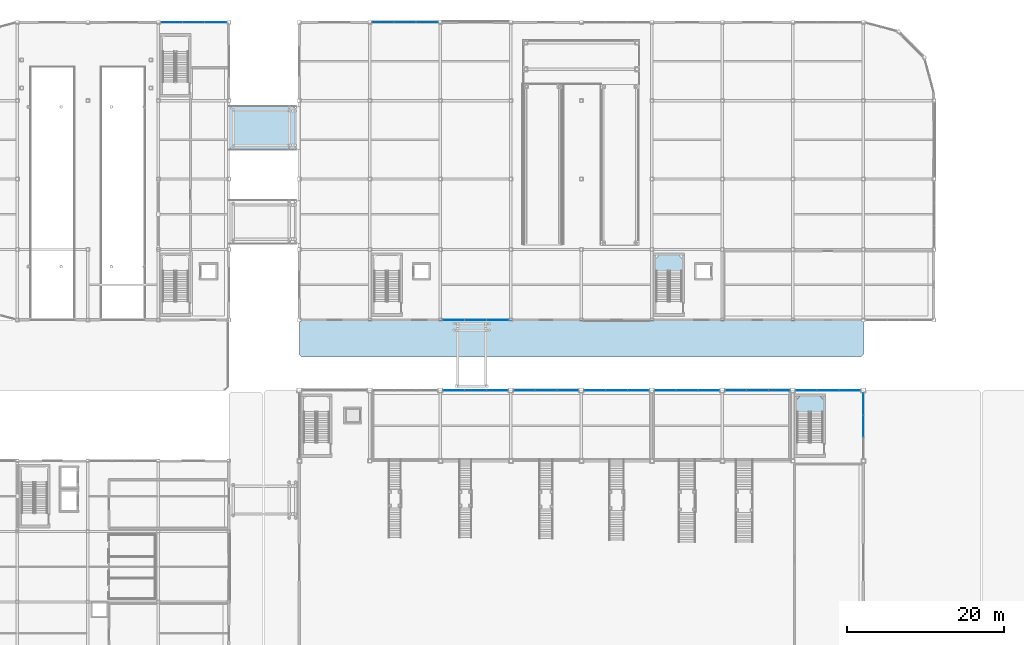
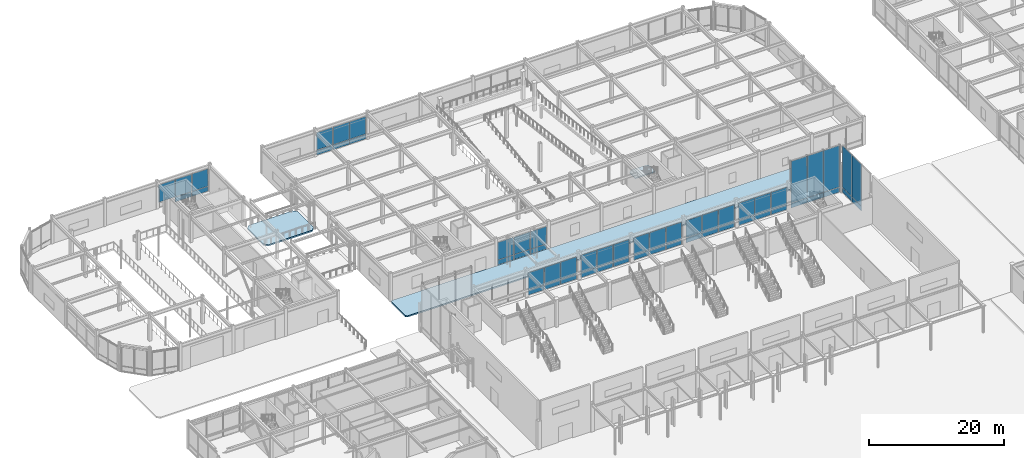
# One storey, part 67 of 123: 57 plates, 4 slabs, 12 elements without a shape of their own.
"""IFC4 building model written with IfcOpenShell, lengths in metres."""

import ifcopenshell
import ifcopenshell.guid

model = None  # the IFC model being written
_history = None  # IfcOwnerHistory: only IFC2X3 demands one
_inside = {}  # id of a spatial element -> (the spatial element, [elements in it])
_under = {}  # id of a project, library or spatial element -> (it, [spatial elements below it])
_declared = {}  # id of a project -> (the project, [libraries it declares])
_typed = {}  # id of a type object -> (the type object, [elements of that type])
_made_of = {}  # id of a material, layer set ... -> (it, [elements and type objects made of it])


def new_model(schema):
    """Start an empty IFC model of exactly this schema.

    Asked for "IFC4X3", IfcOpenShell would pick the latest addendum, in which some entities
    have other attributes; the version numbers below select the first issue.
    IFC2X3 requires an IfcOwnerHistory on every rooted entity: one is made here for all.
    """
    global model, _history
    if schema == "IFC4X3":
        model = ifcopenshell.file(schema_version=(4, 3, 0, 0))
    else:
        model = ifcopenshell.file(schema=schema)
    _inside.clear()
    _under.clear()
    _declared.clear()
    _typed.clear()
    _made_of.clear()
    _history = None
    if model.schema == "IFC2X3":
        org = make("IfcOrganization", Name="unknown")
        user = make(
            "IfcPersonAndOrganization",
            ThePerson=make("IfcPerson", FamilyName="unknown"),
            TheOrganization=org,
        )
        app = make(
            "IfcApplication",
            ApplicationDeveloper=org,
            Version="unknown",
            ApplicationFullName="unknown",
            ApplicationIdentifier="unknown",
        )
        _history = make(
            "IfcOwnerHistory",
            OwningUser=user,
            OwningApplication=app,
            ChangeAction="ADDED",
            CreationDate=0,
        )
    return model


def make(cls, **values):
    """One entity of the class cls with the attributes given. An attribute that is None is left unset."""
    return model.create_entity(
        cls, **{name: value for name, value in values.items() if value is not None}
    )


def rooted(cls, **values):
    """An entity with a GlobalId (a new one), such as an element, a storey or a relation."""
    return make(cls, GlobalId=ifcopenshell.guid.new(), OwnerHistory=_history, **values)


def si_unit(unit_type, name, prefix=None):
    """IfcSIUnit, for example si_unit("LENGTHUNIT", "METRE", prefix="MILLI")."""
    return make("IfcSIUnit", UnitType=unit_type, Prefix=prefix, Name=name)


def assignment(units):
    """IfcUnitAssignment: the units of a project."""
    return None if units is None else make("IfcUnitAssignment", Units=units)


def point(xyz):
    """IfcCartesianPoint."""
    return None if xyz is None else make("IfcCartesianPoint", Coordinates=xyz)


def direction(xyz):
    """IfcDirection."""
    return None if xyz is None else make("IfcDirection", DirectionRatios=xyz)


def frame(location, z_axis=None, x_axis=None):
    """IfcAxis2Placement3D, a coordinate frame: its origin and axes. An axis left out is left unset."""
    return make(
        "IfcAxis2Placement3D",
        Location=point(location),
        Axis=direction(z_axis),
        RefDirection=direction(x_axis),
    )


def frame_2d(location, x_axis=None):
    """IfcAxis2Placement2D, a coordinate frame in the plane: its origin and x axis."""
    return make(
        "IfcAxis2Placement2D", Location=point(location), RefDirection=direction(x_axis)
    )


def origin():
    """The frame at (0, 0, 0) with its axes left unset."""
    return frame((0.0, 0.0, 0.0))


def origin_2d():
    """The frame at (0, 0) in the plane with its x axis left unset."""
    return frame_2d((0.0, 0.0))


def place(relative_to, where):
    """IfcLocalPlacement: puts the frame where relative to a parent placement (None: the world)."""
    return make(
        "IfcLocalPlacement", PlacementRelTo=relative_to, RelativePlacement=where
    )


def context(
    kind, dimensions, precision=None, world=None, true_north=None, identifier=None
):
    """IfcGeometricRepresentationContext, for example the 3D "Model" context."""
    return make(
        "IfcGeometricRepresentationContext",
        ContextIdentifier=identifier,
        ContextType=kind,
        CoordinateSpaceDimension=dimensions,
        Precision=precision,
        WorldCoordinateSystem=world,
        TrueNorth=true_north,
    )


def subcontext(parent, identifier, kind, view, scale=None):
    """IfcGeometricRepresentationSubContext, for example "Body" below "Model"."""
    return make(
        "IfcGeometricRepresentationSubContext",
        ContextIdentifier=identifier,
        ContextType=kind,
        ParentContext=parent,
        TargetScale=scale,
        TargetView=view,
    )


def project(units=None, contexts=None):
    """IfcProject with its units and contexts."""
    return rooted(
        "IfcProject",
        Name="project",
        RepresentationContexts=contexts,
        UnitsInContext=assignment(units),
    )


def spatial(cls, under=None, at=None, **own):
    """A site, building, storey or space (cls), placed at a placement, below another one or the project."""
    s = rooted(cls, ObjectPlacement=at, **own)
    if under is not None:
        _under.setdefault(under.id(), (under, []))[1].append(s)
    return s


def polyline(points):
    """IfcPolyline through the points."""
    return make("IfcPolyline", Points=[point(p) for p in points])


def profile(cls, at=None, kind="AREA", **sizes):
    """A parametric profile (cls). Its sizes go by their IFC names, for example OverallWidth=200.0."""
    return make(cls, ProfileType=kind, Position=at, **sizes)


def rectangle(**sizes):
    """IfcRectangleProfileDef."""
    return profile("IfcRectangleProfileDef", **sizes)


def outline(outer, holes=None, kind="AREA"):
    """IfcArbitraryClosedProfileDef: a profile drawn as a closed curve; with holes, ...WithVoids."""
    if holes is None:
        return make("IfcArbitraryClosedProfileDef", ProfileType=kind, OuterCurve=outer)
    return make(
        "IfcArbitraryProfileDefWithVoids",
        ProfileType=kind,
        OuterCurve=outer,
        InnerCurves=holes,
    )


def extrude(swept, where, along, depth):
    """IfcExtrudedAreaSolid: the profile swept, set in the frame where, extruded along a direction by depth."""
    return make(
        "IfcExtrudedAreaSolid",
        SweptArea=swept,
        Position=where,
        ExtrudedDirection=direction(along),
        Depth=depth,
    )


def shape(context_of_items, identifier, shape_type, items):
    """IfcShapeRepresentation: the items that make up one representation, for example the "Body"."""
    return make(
        "IfcShapeRepresentation",
        ContextOfItems=context_of_items,
        RepresentationIdentifier=identifier,
        RepresentationType=shape_type,
        Items=items,
    )


def material(Name=None, Category=None):
    """IfcMaterial."""
    return make("IfcMaterial", Name=Name, Category=Category)


def layer(
    of_material, thickness, ventilated=None, Name=None, Category=None, Priority=None
):
    """IfcMaterialLayer: one layer of a wall or slab, of a material (None: an air gap)."""
    return make(
        "IfcMaterialLayer",
        Material=of_material,
        LayerThickness=thickness,
        IsVentilated=ventilated,
        Name=Name,
        Category=Category,
        Priority=Priority,
    )


def layer_set(layers, Name=None):
    """IfcMaterialLayerSet."""
    return make("IfcMaterialLayerSet", MaterialLayers=layers, LayerSetName=Name)


def made_of(thing, what):
    """Note that an element or type object is made of a material, layer set ...; save() writes the relation."""
    if what is not None:
        _made_of.setdefault(what.id(), (what, []))[1].append(thing)
    return thing


def type_object(cls, material=None, **own):
    """A type object (cls), such as IfcWallType, which elements share."""
    return made_of(rooted(cls, **own), material)


def element(
    cls,
    number,
    at=None,
    inside=None,
    cuts=None,
    type_object=None,
    material=None,
    context=None,
    identifier="Body",
    shape_type=None,
    held_by="IfcProductDefinitionShape",
    body=None,
    shapes=None,
    **own,
):
    """One element of the class cls, such as IfcWall. Its Tag is "e" and its number.

    at: its placement. inside: the storey or other place that contains it. cuts: it is an
    opening in that element (IfcRelVoidsElement). A single representation is given by context,
    identifier, shape_type and body (its items); several are given by shapes. held_by: the class
    of the entity that holds the representations. save() writes the other relations.
    """
    e = rooted(cls, Tag="e%d" % number, ObjectPlacement=at, **own)
    if body is not None:
        shapes = [shape(context, identifier, shape_type, body)]
    if shapes is not None:
        e.Representation = make(held_by, Representations=shapes)
    if inside is not None:
        _inside.setdefault(inside.id(), (inside, []))[1].append(e)
    if cuts is not None:
        rooted(
            "IfcRelVoidsElement", RelatingBuildingElement=cuts, RelatedOpeningElement=e
        )
    if type_object is not None:
        _typed.setdefault(type_object.id(), (type_object, []))[1].append(e)
    return made_of(e, material)


def aggregate(whole, parts):
    """IfcRelAggregates: a whole, such as a stair, and the parts it consists of."""
    return rooted("IfcRelAggregates", RelatingObject=whole, RelatedObjects=parts)


def save(model, path):
    """Write the relations noted so far, then the file.

    IfcRelAggregates (storeys below a building ...), IfcRelContainedInSpatialStructure (elements
    in a storey), IfcRelDefinesByType, IfcRelAssociatesMaterial and IfcRelDeclares: one each for
    every whole, place, type object, material and project.
    """
    for whole, parts in _under.values():
        aggregate(whole, parts)
    for where, things in _inside.values():
        rooted(
            "IfcRelContainedInSpatialStructure",
            RelatedElements=things,
            RelatingStructure=where,
        )
    for kind, things in _typed.values():
        rooted("IfcRelDefinesByType", RelatedObjects=things, RelatingType=kind)
    for what, things in _made_of.values():
        rooted("IfcRelAssociatesMaterial", RelatedObjects=things, RelatingMaterial=what)
    for by, libraries in _declared.values():
        rooted("IfcRelDeclares", RelatingContext=by, RelatedDefinitions=libraries)
    model.write(path)


model = new_model("IFC4")

# Units and contexts
model_context = context("Model", 3, precision=1e-05, world=origin(), true_north=direction((0.0, 1.0)))
body_context = subcontext(model_context, "Body", "Model", "MODEL_VIEW")
ifc_project = project(units=[si_unit("LENGTHUNIT", "METRE"), si_unit("AREAUNIT", "SQUARE_METRE"), si_unit("VOLUMEUNIT", "CUBIC_METRE"), si_unit("PLANEANGLEUNIT", "RADIAN"), si_unit("MASSUNIT", "GRAM", prefix="KILO")], contexts=[model_context])

# Site, building, storey
site_placement = place(None, origin())
site = spatial("IfcSite", under=ifc_project, at=site_placement, CompositionType="ELEMENT")
building_placement = place(site_placement, origin())
building = spatial("IfcBuilding", under=site, at=building_placement, Name="Suzunagisa Mobility Hub", CompositionType="ELEMENT")
storey_placement = place(building_placement, origin())
storey = spatial("IfcBuildingStorey", under=building, at=storey_placement, Name="L00", CompositionType="ELEMENT", Elevation=0.0)

# Slabs
ifc_material_1 = material(Name="Concrete C35/45", Category="concrete")
ifc_layer_1 = layer(ifc_material_1, 0.2451171875)
ifc_layer_set_1 = layer_set([ifc_layer_1], Name="Concrete C35/45")
slab_type_1 = type_object("IfcSlabType", Name="Composite Slab SL-07 245mm", PredefinedType="FLOOR", material=ifc_layer_set_1)
slab_1_placement = place(storey_placement, frame((0.0, 0.0, -0.2451171875)))
element("IfcSlab", 1, at=slab_1_placement, inside=storey, type_object=slab_type_1, Name="L00 V4 South Exit Walkway Apron", PredefinedType="FLOOR", context=body_context, shape_type="SweptSolid", body=[
    extrude(outline(polyline([(45.25, 75.35009765625), (116.75, 75.35009765625), (117.0, 75.60009765625), (117.0, 79.75), (116.75, 80.0), (45.25, 80.0), (45.0, 79.75), (45.0, 75.60009765625), (45.25, 75.35009765625)])), origin(), (0.0, 0.0, 1.0), 0.2451171875),
])
ifc_layer_2 = layer(ifc_material_1, 0.260009765625)
ifc_layer_set_2 = layer_set([ifc_layer_2], Name="Concrete C35/45")
slab_type_2 = type_object("IfcSlabType", Name="Composite Slab SL-12 260mm", PredefinedType="FLOOR", material=ifc_layer_set_2)
slab_2_placement = place(storey_placement, frame((0.0, 0.0, -0.260009765625)))
element("IfcSlab", 2, at=slab_2_placement, inside=storey, type_object=slab_type_2, Name="L00 Bridge Deck VRL-L00-N", PredefinedType="FLOOR", context=body_context, shape_type="SweptSolid", body=[
    extrude(outline(polyline([(36.550048828125, 101.60009765625), (44.10009765625, 101.60009765625), (44.64990234375, 102.14990234375), (44.64990234375, 106.85009765625), (44.10009765625, 107.39990234375), (36.550048828125, 107.39990234375), (36.0, 106.85009765625), (36.0, 102.14990234375), (36.550048828125, 101.60009765625)])), origin(), (0.0, 0.0, 1.0), 0.260009765625),
])

# Stair, slab
stair_type_1 = type_object("IfcStairType", Name="Dog-Leg Core Escape Stair ST-04 W1560", PredefinedType="HALF_TURN_STAIR", material=ifc_material_1)
stair_1_placement = place(storey_placement, origin())
stair_1 = element("IfcStair", 3, at=stair_1_placement, inside=storey, type_object=stair_type_1, Name="L00 Core C2B Escape Stair ST-04", PredefinedType="HALF_TURN_STAIR")
ifc_layer_3 = layer(ifc_material_1, 0.199951171875)
ifc_layer_set_3 = layer_set([ifc_layer_3], Name="Concrete C35/45")
slab_type_3 = type_object("IfcSlabType", Name="Core Stair Half-Landing Slab SL-SLND", PredefinedType="LANDING", material=ifc_layer_set_3)
slab_3_placement = place(storey_placement, frame((0.0, 0.0, 2.35009765625)))
slab_3 = element("IfcSlab", 4, at=slab_3_placement, type_object=slab_type_3, Name="ST-04 landing 1", PredefinedType="LANDING", context=body_context, shape_type="SweptSolid", body=[
    extrude(outline(polyline([(108.4599609375, 68.199951171875), (111.93994140625, 68.199951171875), (111.93994140625, 69.820068359375), (111.4599609375, 70.300048828125), (108.93994140625, 70.300048828125), (108.4599609375, 69.820068359375), (108.4599609375, 68.199951171875)])), origin(), (0.0, 0.0, 1.0), 0.199951171875),
])
aggregate(stair_1, [slab_3])

stair_type_2 = type_object("IfcStairType", Name="Dog-Leg Core Escape Stair ST-08 W1560", PredefinedType="HALF_TURN_STAIR", material=ifc_material_1)
stair_2_placement = place(storey_placement, origin())
stair_2 = element("IfcStair", 5, at=stair_2_placement, inside=storey, type_object=stair_type_2, Name="L00 Core C4 Escape Stair ST-08", PredefinedType="HALF_TURN_STAIR")
slab_4_placement = place(storey_placement, frame((0.0, 0.0, 2.35009765625)))
slab_4 = element("IfcSlab", 6, at=slab_4_placement, type_object=slab_type_3, Name="ST-08 landing 1", PredefinedType="LANDING", context=body_context, shape_type="SweptSolid", body=[
    extrude(outline(polyline([(90.4599609375, 86.199951171875), (93.93994140625, 86.199951171875), (93.93994140625, 87.820068359375), (93.4599609375, 88.300048828125), (90.93994140625, 88.300048828125), (90.4599609375, 87.820068359375), (90.4599609375, 86.199951171875)])), origin(), (0.0, 0.0, 1.0), 0.199951171875),
])
aggregate(stair_2, [slab_4])

# Curtain wall, plates
ifc_material_2 = material(Name="Thermally Broken Anodized Aluminum and Low-E Glazing", Category="aluminium")
curtain_wall_type_1 = type_object("IfcCurtainWallType", Name="Unitised Curtain Wall CW-32 8500x4200", PredefinedType="USERDEFINED", material=ifc_material_2)
curtain_wall_1_placement = place(storey_placement, origin())
curtain_wall_1 = element("IfcCurtainWall", 7, at=curtain_wall_1_placement, inside=storey, type_object=curtain_wall_type_1, Name="L00 Unitised Curtain Wall CW-47", ObjectType="UNITISED CURTAIN WALL", PredefinedType="USERDEFINED")
ifc_material_3 = material(Name="Low-E Solar-Control Double Glazing", Category="glass")
ifc_layer_4 = layer(ifc_material_3, 0.028076171875)
ifc_layer_set_4 = layer_set([ifc_layer_4], Name="Low-E Solar-Control Double Glazing")
plate_type_1 = type_object("IfcPlateType", Name="Low-E Double Glazed Curtain Panel GP-01 28mm", PredefinedType="CURTAIN_PANEL", material=ifc_layer_set_4)
plate_1_placement = place(storey_placement, frame((34.333740234375, 118.0, 0.06298828125), z_axis=(0.0, 0.0, 1.0), x_axis=(-1.0, 0.0, 0.0)))
plate_1 = element("IfcPlate", 8, at=plate_1_placement, type_object=plate_type_1, Name="Curtain Wall Glazing Panel 47-P1.1", PredefinedType="CURTAIN_PANEL", context=body_context, shape_type="SweptSolid", body=[
    extrude(rectangle(XDim=2.756591796875, YDim=0.028076171875, at=origin_2d()), origin(), (0.0, 0.0, 1.0), 0.8564453125),
])
plate_2_placement = place(storey_placement, frame((34.333740234375, 118.0, 0.98046875), z_axis=(0.0, 0.0, 1.0), x_axis=(-1.0, 0.0, 0.0)))
plate_2 = element("IfcPlate", 9, at=plate_2_placement, type_object=plate_type_1, Name="Curtain Wall Glazing Panel 47-P1.2", PredefinedType="CURTAIN_PANEL", context=body_context, shape_type="SweptSolid", body=[
    extrude(rectangle(XDim=2.756591796875, YDim=0.028076171875, at=origin_2d()), origin(), (0.0, 0.0, 1.0), 3.146484375),
])
plate_3_placement = place(storey_placement, frame((31.5, 118.0, 0.06298828125), z_axis=(0.0, 0.0, 1.0), x_axis=(-1.0, 0.0, 0.0)))
plate_3 = element("IfcPlate", 10, at=plate_3_placement, type_object=plate_type_1, Name="Curtain Wall Glazing Panel 47-P2.1", PredefinedType="CURTAIN_PANEL", context=body_context, shape_type="SweptSolid", body=[
    extrude(rectangle(XDim=2.7890625, YDim=0.028076171875, at=origin_2d()), origin(), (0.0, 0.0, 1.0), 0.8564453125),
])
plate_4_placement = place(storey_placement, frame((31.5, 118.0, 0.98046875), z_axis=(0.0, 0.0, 1.0), x_axis=(-1.0, 0.0, 0.0)))
plate_4 = element("IfcPlate", 11, at=plate_4_placement, type_object=plate_type_1, Name="Curtain Wall Glazing Panel 47-P2.2", PredefinedType="CURTAIN_PANEL", context=body_context, shape_type="SweptSolid", body=[
    extrude(rectangle(XDim=2.7890625, YDim=0.028076171875, at=origin_2d()), origin(), (0.0, 0.0, 1.0), 3.146484375),
])
plate_5_placement = place(storey_placement, frame((28.666259765625, 118.0, 0.98046875), z_axis=(0.0, 0.0, 1.0), x_axis=(-1.0, 0.0, 0.0)))
plate_5 = element("IfcPlate", 12, at=plate_5_placement, type_object=plate_type_1, Name="Curtain Wall Glazing Panel 47-P3.2", PredefinedType="CURTAIN_PANEL", context=body_context, shape_type="SweptSolid", body=[
    extrude(rectangle(XDim=2.756591796875, YDim=0.028076171875, at=origin_2d()), origin(), (0.0, 0.0, 1.0), 3.146484375),
])
aggregate(curtain_wall_1, [plate_1, plate_2, plate_3, plate_4, plate_5])

curtain_wall_2_placement = place(storey_placement, origin())
curtain_wall_2 = element("IfcCurtainWall", 13, at=curtain_wall_2_placement, inside=storey, type_object=curtain_wall_type_1, Name="L00 Unitised Curtain Wall CW-91", ObjectType="UNITISED CURTAIN WALL", PredefinedType="USERDEFINED")
plate_6_placement = place(storey_placement, frame((64.666259765625, 80.0, 0.06298828125), z_axis=(0.0, 0.0, 1.0), x_axis=(1.0, 0.0, 0.0)))
plate_6 = element("IfcPlate", 14, at=plate_6_placement, type_object=plate_type_1, Name="Curtain Wall Glazing Panel 91-P1.1", PredefinedType="CURTAIN_PANEL", context=body_context, shape_type="SweptSolid", body=[
    extrude(rectangle(XDim=2.756591796875, YDim=0.028076171875, at=origin_2d()), origin(), (0.0, 0.0, 1.0), 0.8564453125),
])
plate_7_placement = place(storey_placement, frame((64.666259765625, 80.0, 0.98046875), z_axis=(0.0, 0.0, 1.0), x_axis=(1.0, 0.0, 0.0)))
plate_7 = element("IfcPlate", 15, at=plate_7_placement, type_object=plate_type_1, Name="Curtain Wall Glazing Panel 91-P1.2", PredefinedType="CURTAIN_PANEL", context=body_context, shape_type="SweptSolid", body=[
    extrude(rectangle(XDim=2.756591796875, YDim=0.028076171875, at=origin_2d()), origin(), (0.0, 0.0, 1.0), 3.146484375),
])
plate_8_placement = place(storey_placement, frame((67.5, 80.0, 0.06298828125), z_axis=(0.0, 0.0, 1.0), x_axis=(1.0, 0.0, 0.0)))
plate_8 = element("IfcPlate", 16, at=plate_8_placement, type_object=plate_type_1, Name="Curtain Wall Glazing Panel 91-P2.1", PredefinedType="CURTAIN_PANEL", context=body_context, shape_type="SweptSolid", body=[
    extrude(rectangle(XDim=2.7890625, YDim=0.028076171875, at=origin_2d()), origin(), (0.0, 0.0, 1.0), 0.8564453125),
])
plate_9_placement = place(storey_placement, frame((67.5, 80.0, 0.98046875), z_axis=(0.0, 0.0, 1.0), x_axis=(1.0, 0.0, 0.0)))
plate_9 = element("IfcPlate", 17, at=plate_9_placement, type_object=plate_type_1, Name="Curtain Wall Glazing Panel 91-P2.2", PredefinedType="CURTAIN_PANEL", context=body_context, shape_type="SweptSolid", body=[
    extrude(rectangle(XDim=2.7890625, YDim=0.028076171875, at=origin_2d()), origin(), (0.0, 0.0, 1.0), 3.146484375),
])
plate_10_placement = place(storey_placement, frame((70.333740234375, 80.0, 0.06298828125), z_axis=(0.0, 0.0, 1.0), x_axis=(1.0, 0.0, 0.0)))
plate_10 = element("IfcPlate", 18, at=plate_10_placement, type_object=plate_type_1, Name="Curtain Wall Glazing Panel 91-P3.1", PredefinedType="CURTAIN_PANEL", context=body_context, shape_type="SweptSolid", body=[
    extrude(rectangle(XDim=2.756591796875, YDim=0.028076171875, at=origin_2d()), origin(), (0.0, 0.0, 1.0), 0.8564453125),
])
plate_11_placement = place(storey_placement, frame((70.333740234375, 80.0, 0.98046875), z_axis=(0.0, 0.0, 1.0), x_axis=(1.0, 0.0, 0.0)))
plate_11 = element("IfcPlate", 19, at=plate_11_placement, type_object=plate_type_1, Name="Curtain Wall Glazing Panel 91-P3.2", PredefinedType="CURTAIN_PANEL", context=body_context, shape_type="SweptSolid", body=[
    extrude(rectangle(XDim=2.756591796875, YDim=0.028076171875, at=origin_2d()), origin(), (0.0, 0.0, 1.0), 3.146484375),
])
aggregate(curtain_wall_2, [plate_6, plate_7, plate_8, plate_9, plate_10, plate_11])

curtain_wall_3_placement = place(storey_placement, origin())
curtain_wall_3 = element("IfcCurtainWall", 20, at=curtain_wall_3_placement, inside=storey, type_object=curtain_wall_type_1, Name="L00 Unitised Curtain Wall CW-99", ObjectType="UNITISED CURTAIN WALL", PredefinedType="USERDEFINED")
plate_12_placement = place(storey_placement, frame((61.333740234375, 118.0, 0.06298828125), z_axis=(0.0, 0.0, 1.0), x_axis=(-1.0, 0.0, 0.0)))
plate_12 = element("IfcPlate", 21, at=plate_12_placement, type_object=plate_type_1, Name="Curtain Wall Glazing Panel 99-P1.1", PredefinedType="CURTAIN_PANEL", context=body_context, shape_type="SweptSolid", body=[
    extrude(rectangle(XDim=2.756591796875, YDim=0.028076171875, at=origin_2d()), origin(), (0.0, 0.0, 1.0), 0.8564453125),
])
plate_13_placement = place(storey_placement, frame((61.333740234375, 118.0, 0.98046875), z_axis=(0.0, 0.0, 1.0), x_axis=(-1.0, 0.0, 0.0)))
plate_13 = element("IfcPlate", 22, at=plate_13_placement, type_object=plate_type_1, Name="Curtain Wall Glazing Panel 99-P1.2", PredefinedType="CURTAIN_PANEL", context=body_context, shape_type="SweptSolid", body=[
    extrude(rectangle(XDim=2.756591796875, YDim=0.028076171875, at=origin_2d()), origin(), (0.0, 0.0, 1.0), 3.146484375),
])
plate_14_placement = place(storey_placement, frame((58.5, 118.0, 0.06298828125), z_axis=(0.0, 0.0, 1.0), x_axis=(-1.0, 0.0, 0.0)))
plate_14 = element("IfcPlate", 23, at=plate_14_placement, type_object=plate_type_1, Name="Curtain Wall Glazing Panel 99-P2.1", PredefinedType="CURTAIN_PANEL", context=body_context, shape_type="SweptSolid", body=[
    extrude(rectangle(XDim=2.7890625, YDim=0.028076171875, at=origin_2d()), origin(), (0.0, 0.0, 1.0), 0.8564453125),
])
plate_15_placement = place(storey_placement, frame((58.5, 118.0, 0.98046875), z_axis=(0.0, 0.0, 1.0), x_axis=(-1.0, 0.0, 0.0)))
plate_15 = element("IfcPlate", 24, at=plate_15_placement, type_object=plate_type_1, Name="Curtain Wall Glazing Panel 99-P2.2", PredefinedType="CURTAIN_PANEL", context=body_context, shape_type="SweptSolid", body=[
    extrude(rectangle(XDim=2.7890625, YDim=0.028076171875, at=origin_2d()), origin(), (0.0, 0.0, 1.0), 3.146484375),
])
plate_16_placement = place(storey_placement, frame((55.666259765625, 118.0, 0.06298828125), z_axis=(0.0, 0.0, 1.0), x_axis=(-1.0, 0.0, 0.0)))
plate_16 = element("IfcPlate", 25, at=plate_16_placement, type_object=plate_type_1, Name="Curtain Wall Glazing Panel 99-P3.1", PredefinedType="CURTAIN_PANEL", context=body_context, shape_type="SweptSolid", body=[
    extrude(rectangle(XDim=2.756591796875, YDim=0.028076171875, at=origin_2d()), origin(), (0.0, 0.0, 1.0), 0.8564453125),
])
plate_17_placement = place(storey_placement, frame((55.666259765625, 118.0, 0.98046875), z_axis=(0.0, 0.0, 1.0), x_axis=(-1.0, 0.0, 0.0)))
plate_17 = element("IfcPlate", 26, at=plate_17_placement, type_object=plate_type_1, Name="Curtain Wall Glazing Panel 99-P3.2", PredefinedType="CURTAIN_PANEL", context=body_context, shape_type="SweptSolid", body=[
    extrude(rectangle(XDim=2.756591796875, YDim=0.028076171875, at=origin_2d()), origin(), (0.0, 0.0, 1.0), 3.146484375),
])
aggregate(curtain_wall_3, [plate_12, plate_13, plate_14, plate_15, plate_16, plate_17])

curtain_wall_type_2 = type_object("IfcCurtainWallType", Name="Unitised Curtain Wall CW-34 8500x8600", PredefinedType="USERDEFINED", material=ifc_material_2)
curtain_wall_4_placement = place(storey_placement, origin())
curtain_wall_4 = element("IfcCurtainWall", 27, at=curtain_wall_4_placement, inside=storey, type_object=curtain_wall_type_2, Name="L00 Unitised Curtain Wall CW-34", ObjectType="UNITISED CURTAIN WALL", PredefinedType="USERDEFINED")
ifc_layer_5 = layer(ifc_material_3, 0.031982421875)
ifc_layer_set_5 = layer_set([ifc_layer_5], Name="Low-E Solar-Control Double Glazing")
plate_type_2 = type_object("IfcPlateType", Name="Low-E Double Glazed Curtain Panel GP-02 32mm", PredefinedType="CURTAIN_PANEL", material=ifc_layer_set_5)
plate_18_placement = place(storey_placement, frame((117.0, 66.47509765625, 0.06298828125), z_axis=(0.0, 0.0, 1.0), x_axis=(0.0, 1.0, 0.0)))
plate_18 = element("IfcPlate", 28, at=plate_18_placement, type_object=plate_type_2, Name="Curtain Wall Glazing Panel 34-P2.1", PredefinedType="CURTAIN_PANEL", context=body_context, shape_type="SweptSolid", body=[
    extrude(rectangle(XDim=2.755615234375, YDim=0.031982421875, at=origin_2d()), origin(), (0.0, 0.0, 1.0), 0.8564453125),
])
plate_19_placement = place(storey_placement, frame((117.0, 66.47509765625, 0.98046875), z_axis=(0.0, 0.0, 1.0), x_axis=(0.0, 1.0, 0.0)))
plate_19 = element("IfcPlate", 29, at=plate_19_placement, type_object=plate_type_2, Name="Curtain Wall Glazing Panel 34-P2.2", PredefinedType="CURTAIN_PANEL", context=body_context, shape_type="SweptSolid", body=[
    extrude(rectangle(XDim=2.755615234375, YDim=0.031982421875, at=origin_2d()), origin(), (0.0, 0.0, 1.0), 7.53662109375),
])
plate_20_placement = place(storey_placement, frame((117.0, 69.275390625, 0.06298828125), z_axis=(0.0, 0.0, 1.0), x_axis=(0.0, 1.0, 0.0)))
plate_20 = element("IfcPlate", 30, at=plate_20_placement, type_object=plate_type_2, Name="Curtain Wall Glazing Panel 34-P3.1", PredefinedType="CURTAIN_PANEL", context=body_context, shape_type="SweptSolid", body=[
    extrude(rectangle(XDim=2.72314453125, YDim=0.031982421875, at=origin_2d()), origin(), (0.0, 0.0, 1.0), 0.8564453125),
])
plate_21_placement = place(storey_placement, frame((117.0, 69.275390625, 0.98046875), z_axis=(0.0, 0.0, 1.0), x_axis=(0.0, 1.0, 0.0)))
plate_21 = element("IfcPlate", 31, at=plate_21_placement, type_object=plate_type_2, Name="Curtain Wall Glazing Panel 34-P3.2", PredefinedType="CURTAIN_PANEL", context=body_context, shape_type="SweptSolid", body=[
    extrude(rectangle(XDim=2.72314453125, YDim=0.031982421875, at=origin_2d()), origin(), (0.0, 0.0, 1.0), 7.53662109375),
])
aggregate(curtain_wall_4, [plate_18, plate_19, plate_20, plate_21])

curtain_wall_5_placement = place(storey_placement, origin())
curtain_wall_5 = element("IfcCurtainWall", 32, at=curtain_wall_5_placement, inside=storey, type_object=curtain_wall_type_2, Name="L00 Unitised Curtain Wall CW-35", ObjectType="UNITISED CURTAIN WALL", PredefinedType="USERDEFINED")
plate_22_placement = place(storey_placement, frame((115.28369140625, 71.0, 0.06298828125), z_axis=(0.0, 0.0, 1.0), x_axis=(-1.0, 0.0, 0.0)))
plate_22 = element("IfcPlate", 33, at=plate_22_placement, type_object=plate_type_2, Name="Curtain Wall Glazing Panel 35-P1.1", PredefinedType="CURTAIN_PANEL", context=body_context, shape_type="SweptSolid", body=[
    extrude(rectangle(XDim=2.70654296875, YDim=0.031982421875, at=origin_2d()), origin(), (0.0, 0.0, 1.0), 0.8564453125),
])
plate_23_placement = place(storey_placement, frame((115.28369140625, 71.0, 0.98046875), z_axis=(0.0, 0.0, 1.0), x_axis=(-1.0, 0.0, 0.0)))
plate_23 = element("IfcPlate", 34, at=plate_23_placement, type_object=plate_type_2, Name="Curtain Wall Glazing Panel 35-P1.2", PredefinedType="CURTAIN_PANEL", context=body_context, shape_type="SweptSolid", body=[
    extrude(rectangle(XDim=2.70654296875, YDim=0.031982421875, at=origin_2d()), origin(), (0.0, 0.0, 1.0), 7.53662109375),
])
plate_24_placement = place(storey_placement, frame((112.5, 71.0, 0.06298828125), z_axis=(0.0, 0.0, 1.0), x_axis=(-1.0, 0.0, 0.0)))
plate_24 = element("IfcPlate", 35, at=plate_24_placement, type_object=plate_type_2, Name="Curtain Wall Glazing Panel 35-P2.1", PredefinedType="CURTAIN_PANEL", context=body_context, shape_type="SweptSolid", body=[
    extrude(rectangle(XDim=2.739013671875, YDim=0.031982421875, at=origin_2d()), origin(), (0.0, 0.0, 1.0), 0.8564453125),
])
plate_25_placement = place(storey_placement, frame((112.5, 71.0, 0.98046875), z_axis=(0.0, 0.0, 1.0), x_axis=(-1.0, 0.0, 0.0)))
plate_25 = element("IfcPlate", 36, at=plate_25_placement, type_object=plate_type_2, Name="Curtain Wall Glazing Panel 35-P2.2", PredefinedType="CURTAIN_PANEL", context=body_context, shape_type="SweptSolid", body=[
    extrude(rectangle(XDim=2.739013671875, YDim=0.031982421875, at=origin_2d()), origin(), (0.0, 0.0, 1.0), 7.53662109375),
])
plate_26_placement = place(storey_placement, frame((109.71630859375, 71.0, 0.06298828125), z_axis=(0.0, 0.0, 1.0), x_axis=(-1.0, 0.0, 0.0)))
plate_26 = element("IfcPlate", 37, at=plate_26_placement, type_object=plate_type_2, Name="Curtain Wall Glazing Panel 35-P3.1", PredefinedType="CURTAIN_PANEL", context=body_context, shape_type="SweptSolid", body=[
    extrude(rectangle(XDim=2.70654296875, YDim=0.031982421875, at=origin_2d()), origin(), (0.0, 0.0, 1.0), 0.8564453125),
])
plate_27_placement = place(storey_placement, frame((109.71630859375, 71.0, 0.98046875), z_axis=(0.0, 0.0, 1.0), x_axis=(-1.0, 0.0, 0.0)))
plate_27 = element("IfcPlate", 38, at=plate_27_placement, type_object=plate_type_2, Name="Curtain Wall Glazing Panel 35-P3.2", PredefinedType="CURTAIN_PANEL", context=body_context, shape_type="SweptSolid", body=[
    extrude(rectangle(XDim=2.70654296875, YDim=0.031982421875, at=origin_2d()), origin(), (0.0, 0.0, 1.0), 7.53662109375),
])
aggregate(curtain_wall_5, [plate_22, plate_23, plate_24, plate_25, plate_26, plate_27])

curtain_wall_6_placement = place(storey_placement, origin())
curtain_wall_6 = element("IfcCurtainWall", 39, at=curtain_wall_6_placement, inside=storey, type_object=curtain_wall_type_1, Name="L00 Unitised Curtain Wall CW-36", ObjectType="UNITISED CURTAIN WALL", PredefinedType="USERDEFINED")
plate_28_placement = place(storey_placement, frame((106.28369140625, 71.0, 0.06298828125), z_axis=(0.0, 0.0, 1.0), x_axis=(-1.0, 0.0, 0.0)))
plate_28 = element("IfcPlate", 40, at=plate_28_placement, type_object=plate_type_2, Name="Curtain Wall Glazing Panel 36-P1.1", PredefinedType="CURTAIN_PANEL", context=body_context, shape_type="SweptSolid", body=[
    extrude(rectangle(XDim=2.70654296875, YDim=0.031982421875, at=origin_2d()), origin(), (0.0, 0.0, 1.0), 0.8564453125),
])
plate_29_placement = place(storey_placement, frame((106.28369140625, 71.0, 0.98046875), z_axis=(0.0, 0.0, 1.0), x_axis=(-1.0, 0.0, 0.0)))
plate_29 = element("IfcPlate", 41, at=plate_29_placement, type_object=plate_type_2, Name="Curtain Wall Glazing Panel 36-P1.2", PredefinedType="CURTAIN_PANEL", context=body_context, shape_type="SweptSolid", body=[
    extrude(rectangle(XDim=2.70654296875, YDim=0.031982421875, at=origin_2d()), origin(), (0.0, 0.0, 1.0), 3.1064453125),
])
plate_30_placement = place(storey_placement, frame((103.5, 71.0, 0.06298828125), z_axis=(0.0, 0.0, 1.0), x_axis=(-1.0, 0.0, 0.0)))
plate_30 = element("IfcPlate", 42, at=plate_30_placement, type_object=plate_type_2, Name="Curtain Wall Glazing Panel 36-P2.1", PredefinedType="CURTAIN_PANEL", context=body_context, shape_type="SweptSolid", body=[
    extrude(rectangle(XDim=2.739013671875, YDim=0.031982421875, at=origin_2d()), origin(), (0.0, 0.0, 1.0), 0.8564453125),
])
plate_31_placement = place(storey_placement, frame((103.5, 71.0, 0.98046875), z_axis=(0.0, 0.0, 1.0), x_axis=(-1.0, 0.0, 0.0)))
plate_31 = element("IfcPlate", 43, at=plate_31_placement, type_object=plate_type_2, Name="Curtain Wall Glazing Panel 36-P2.2", PredefinedType="CURTAIN_PANEL", context=body_context, shape_type="SweptSolid", body=[
    extrude(rectangle(XDim=2.739013671875, YDim=0.031982421875, at=origin_2d()), origin(), (0.0, 0.0, 1.0), 3.1064453125),
])
plate_32_placement = place(storey_placement, frame((100.71630859375, 71.0, 0.06298828125), z_axis=(0.0, 0.0, 1.0), x_axis=(-1.0, 0.0, 0.0)))
plate_32 = element("IfcPlate", 44, at=plate_32_placement, type_object=plate_type_2, Name="Curtain Wall Glazing Panel 36-P3.1", PredefinedType="CURTAIN_PANEL", context=body_context, shape_type="SweptSolid", body=[
    extrude(rectangle(XDim=2.70654296875, YDim=0.031982421875, at=origin_2d()), origin(), (0.0, 0.0, 1.0), 0.8564453125),
])
plate_33_placement = place(storey_placement, frame((100.71630859375, 71.0, 0.98046875), z_axis=(0.0, 0.0, 1.0), x_axis=(-1.0, 0.0, 0.0)))
plate_33 = element("IfcPlate", 45, at=plate_33_placement, type_object=plate_type_2, Name="Curtain Wall Glazing Panel 36-P3.2", PredefinedType="CURTAIN_PANEL", context=body_context, shape_type="SweptSolid", body=[
    extrude(rectangle(XDim=2.70654296875, YDim=0.031982421875, at=origin_2d()), origin(), (0.0, 0.0, 1.0), 3.1064453125),
])
aggregate(curtain_wall_6, [plate_28, plate_29, plate_30, plate_31, plate_32, plate_33])

curtain_wall_7_placement = place(storey_placement, origin())
curtain_wall_7 = element("IfcCurtainWall", 46, at=curtain_wall_7_placement, inside=storey, type_object=curtain_wall_type_1, Name="L00 Unitised Curtain Wall CW-37", ObjectType="UNITISED CURTAIN WALL", PredefinedType="USERDEFINED")
plate_34_placement = place(storey_placement, frame((97.28369140625, 71.0, 0.06298828125), z_axis=(0.0, 0.0, 1.0), x_axis=(-1.0, 0.0, 0.0)))
plate_34 = element("IfcPlate", 47, at=plate_34_placement, type_object=plate_type_2, Name="Curtain Wall Glazing Panel 37-P1.1", PredefinedType="CURTAIN_PANEL", context=body_context, shape_type="SweptSolid", body=[
    extrude(rectangle(XDim=2.70654296875, YDim=0.031982421875, at=origin_2d()), origin(), (0.0, 0.0, 1.0), 0.8564453125),
])
plate_35_placement = place(storey_placement, frame((97.28369140625, 71.0, 0.98046875), z_axis=(0.0, 0.0, 1.0), x_axis=(-1.0, 0.0, 0.0)))
plate_35 = element("IfcPlate", 48, at=plate_35_placement, type_object=plate_type_2, Name="Curtain Wall Glazing Panel 37-P1.2", PredefinedType="CURTAIN_PANEL", context=body_context, shape_type="SweptSolid", body=[
    extrude(rectangle(XDim=2.70654296875, YDim=0.031982421875, at=origin_2d()), origin(), (0.0, 0.0, 1.0), 3.1064453125),
])
plate_36_placement = place(storey_placement, frame((94.5, 71.0, 0.06298828125), z_axis=(0.0, 0.0, 1.0), x_axis=(-1.0, 0.0, 0.0)))
plate_36 = element("IfcPlate", 49, at=plate_36_placement, type_object=plate_type_2, Name="Curtain Wall Glazing Panel 37-P2.1", PredefinedType="CURTAIN_PANEL", context=body_context, shape_type="SweptSolid", body=[
    extrude(rectangle(XDim=2.739013671875, YDim=0.031982421875, at=origin_2d()), origin(), (0.0, 0.0, 1.0), 0.8564453125),
])
plate_37_placement = place(storey_placement, frame((94.5, 71.0, 0.98046875), z_axis=(0.0, 0.0, 1.0), x_axis=(-1.0, 0.0, 0.0)))
plate_37 = element("IfcPlate", 50, at=plate_37_placement, type_object=plate_type_2, Name="Curtain Wall Glazing Panel 37-P2.2", PredefinedType="CURTAIN_PANEL", context=body_context, shape_type="SweptSolid", body=[
    extrude(rectangle(XDim=2.739013671875, YDim=0.031982421875, at=origin_2d()), origin(), (0.0, 0.0, 1.0), 3.1064453125),
])
plate_38_placement = place(storey_placement, frame((91.71630859375, 71.0, 0.06298828125), z_axis=(0.0, 0.0, 1.0), x_axis=(-1.0, 0.0, 0.0)))
plate_38 = element("IfcPlate", 51, at=plate_38_placement, type_object=plate_type_2, Name="Curtain Wall Glazing Panel 37-P3.1", PredefinedType="CURTAIN_PANEL", context=body_context, shape_type="SweptSolid", body=[
    extrude(rectangle(XDim=2.70654296875, YDim=0.031982421875, at=origin_2d()), origin(), (0.0, 0.0, 1.0), 0.8564453125),
])
plate_39_placement = place(storey_placement, frame((91.71630859375, 71.0, 0.98046875), z_axis=(0.0, 0.0, 1.0), x_axis=(-1.0, 0.0, 0.0)))
plate_39 = element("IfcPlate", 52, at=plate_39_placement, type_object=plate_type_2, Name="Curtain Wall Glazing Panel 37-P3.2", PredefinedType="CURTAIN_PANEL", context=body_context, shape_type="SweptSolid", body=[
    extrude(rectangle(XDim=2.70654296875, YDim=0.031982421875, at=origin_2d()), origin(), (0.0, 0.0, 1.0), 3.1064453125),
])
aggregate(curtain_wall_7, [plate_34, plate_35, plate_36, plate_37, plate_38, plate_39])

curtain_wall_8_placement = place(storey_placement, origin())
curtain_wall_8 = element("IfcCurtainWall", 53, at=curtain_wall_8_placement, inside=storey, type_object=curtain_wall_type_1, Name="L00 Unitised Curtain Wall CW-38", ObjectType="UNITISED CURTAIN WALL", PredefinedType="USERDEFINED")
plate_40_placement = place(storey_placement, frame((88.28369140625, 71.0, 0.06298828125), z_axis=(0.0, 0.0, 1.0), x_axis=(-1.0, 0.0, 0.0)))
plate_40 = element("IfcPlate", 54, at=plate_40_placement, type_object=plate_type_2, Name="Curtain Wall Glazing Panel 38-P1.1", PredefinedType="CURTAIN_PANEL", context=body_context, shape_type="SweptSolid", body=[
    extrude(rectangle(XDim=2.70654296875, YDim=0.031982421875, at=origin_2d()), origin(), (0.0, 0.0, 1.0), 0.8564453125),
])
plate_41_placement = place(storey_placement, frame((88.28369140625, 71.0, 0.98046875), z_axis=(0.0, 0.0, 1.0), x_axis=(-1.0, 0.0, 0.0)))
plate_41 = element("IfcPlate", 55, at=plate_41_placement, type_object=plate_type_2, Name="Curtain Wall Glazing Panel 38-P1.2", PredefinedType="CURTAIN_PANEL", context=body_context, shape_type="SweptSolid", body=[
    extrude(rectangle(XDim=2.70654296875, YDim=0.031982421875, at=origin_2d()), origin(), (0.0, 0.0, 1.0), 3.1064453125),
])
plate_42_placement = place(storey_placement, frame((85.5, 71.0, 0.06298828125), z_axis=(0.0, 0.0, 1.0), x_axis=(-1.0, 0.0, 0.0)))
plate_42 = element("IfcPlate", 56, at=plate_42_placement, type_object=plate_type_2, Name="Curtain Wall Glazing Panel 38-P2.1", PredefinedType="CURTAIN_PANEL", context=body_context, shape_type="SweptSolid", body=[
    extrude(rectangle(XDim=2.739013671875, YDim=0.031982421875, at=origin_2d()), origin(), (0.0, 0.0, 1.0), 0.8564453125),
])
plate_43_placement = place(storey_placement, frame((85.5, 71.0, 0.98046875), z_axis=(0.0, 0.0, 1.0), x_axis=(-1.0, 0.0, 0.0)))
plate_43 = element("IfcPlate", 57, at=plate_43_placement, type_object=plate_type_2, Name="Curtain Wall Glazing Panel 38-P2.2", PredefinedType="CURTAIN_PANEL", context=body_context, shape_type="SweptSolid", body=[
    extrude(rectangle(XDim=2.739013671875, YDim=0.031982421875, at=origin_2d()), origin(), (0.0, 0.0, 1.0), 3.1064453125),
])
plate_44_placement = place(storey_placement, frame((82.71630859375, 71.0, 0.06298828125), z_axis=(0.0, 0.0, 1.0), x_axis=(-1.0, 0.0, 0.0)))
plate_44 = element("IfcPlate", 58, at=plate_44_placement, type_object=plate_type_2, Name="Curtain Wall Glazing Panel 38-P3.1", PredefinedType="CURTAIN_PANEL", context=body_context, shape_type="SweptSolid", body=[
    extrude(rectangle(XDim=2.70654296875, YDim=0.031982421875, at=origin_2d()), origin(), (0.0, 0.0, 1.0), 0.8564453125),
])
plate_45_placement = place(storey_placement, frame((82.71630859375, 71.0, 0.98046875), z_axis=(0.0, 0.0, 1.0), x_axis=(-1.0, 0.0, 0.0)))
plate_45 = element("IfcPlate", 59, at=plate_45_placement, type_object=plate_type_2, Name="Curtain Wall Glazing Panel 38-P3.2", PredefinedType="CURTAIN_PANEL", context=body_context, shape_type="SweptSolid", body=[
    extrude(rectangle(XDim=2.70654296875, YDim=0.031982421875, at=origin_2d()), origin(), (0.0, 0.0, 1.0), 3.1064453125),
])
aggregate(curtain_wall_8, [plate_40, plate_41, plate_42, plate_43, plate_44, plate_45])

curtain_wall_9_placement = place(storey_placement, origin())
curtain_wall_9 = element("IfcCurtainWall", 60, at=curtain_wall_9_placement, inside=storey, type_object=curtain_wall_type_1, Name="L00 Unitised Curtain Wall CW-39", ObjectType="UNITISED CURTAIN WALL", PredefinedType="USERDEFINED")
plate_46_placement = place(storey_placement, frame((79.28369140625, 71.0, 0.06298828125), z_axis=(0.0, 0.0, 1.0), x_axis=(-1.0, 0.0, 0.0)))
plate_46 = element("IfcPlate", 61, at=plate_46_placement, type_object=plate_type_2, Name="Curtain Wall Glazing Panel 39-P1.1", PredefinedType="CURTAIN_PANEL", context=body_context, shape_type="SweptSolid", body=[
    extrude(rectangle(XDim=2.70654296875, YDim=0.031982421875, at=origin_2d()), origin(), (0.0, 0.0, 1.0), 0.8564453125),
])
plate_47_placement = place(storey_placement, frame((79.28369140625, 71.0, 0.98046875), z_axis=(0.0, 0.0, 1.0), x_axis=(-1.0, 0.0, 0.0)))
plate_47 = element("IfcPlate", 62, at=plate_47_placement, type_object=plate_type_2, Name="Curtain Wall Glazing Panel 39-P1.2", PredefinedType="CURTAIN_PANEL", context=body_context, shape_type="SweptSolid", body=[
    extrude(rectangle(XDim=2.70654296875, YDim=0.031982421875, at=origin_2d()), origin(), (0.0, 0.0, 1.0), 3.1064453125),
])
plate_48_placement = place(storey_placement, frame((76.5, 71.0, 0.06298828125), z_axis=(0.0, 0.0, 1.0), x_axis=(-1.0, 0.0, 0.0)))
plate_48 = element("IfcPlate", 63, at=plate_48_placement, type_object=plate_type_2, Name="Curtain Wall Glazing Panel 39-P2.1", PredefinedType="CURTAIN_PANEL", context=body_context, shape_type="SweptSolid", body=[
    extrude(rectangle(XDim=2.739013671875, YDim=0.031982421875, at=origin_2d()), origin(), (0.0, 0.0, 1.0), 0.8564453125),
])
plate_49_placement = place(storey_placement, frame((76.5, 71.0, 0.98046875), z_axis=(0.0, 0.0, 1.0), x_axis=(-1.0, 0.0, 0.0)))
plate_49 = element("IfcPlate", 64, at=plate_49_placement, type_object=plate_type_2, Name="Curtain Wall Glazing Panel 39-P2.2", PredefinedType="CURTAIN_PANEL", context=body_context, shape_type="SweptSolid", body=[
    extrude(rectangle(XDim=2.739013671875, YDim=0.031982421875, at=origin_2d()), origin(), (0.0, 0.0, 1.0), 3.1064453125),
])
plate_50_placement = place(storey_placement, frame((73.71630859375, 71.0, 0.06298828125), z_axis=(0.0, 0.0, 1.0), x_axis=(-1.0, 0.0, 0.0)))
plate_50 = element("IfcPlate", 65, at=plate_50_placement, type_object=plate_type_2, Name="Curtain Wall Glazing Panel 39-P3.1", PredefinedType="CURTAIN_PANEL", context=body_context, shape_type="SweptSolid", body=[
    extrude(rectangle(XDim=2.70654296875, YDim=0.031982421875, at=origin_2d()), origin(), (0.0, 0.0, 1.0), 0.8564453125),
])
plate_51_placement = place(storey_placement, frame((73.71630859375, 71.0, 0.98046875), z_axis=(0.0, 0.0, 1.0), x_axis=(-1.0, 0.0, 0.0)))
plate_51 = element("IfcPlate", 66, at=plate_51_placement, type_object=plate_type_2, Name="Curtain Wall Glazing Panel 39-P3.2", PredefinedType="CURTAIN_PANEL", context=body_context, shape_type="SweptSolid", body=[
    extrude(rectangle(XDim=2.70654296875, YDim=0.031982421875, at=origin_2d()), origin(), (0.0, 0.0, 1.0), 3.1064453125),
])
aggregate(curtain_wall_9, [plate_46, plate_47, plate_48, plate_49, plate_50, plate_51])

curtain_wall_10_placement = place(storey_placement, origin())
curtain_wall_10 = element("IfcCurtainWall", 67, at=curtain_wall_10_placement, inside=storey, type_object=curtain_wall_type_1, Name="L00 Unitised Curtain Wall CW-40", ObjectType="UNITISED CURTAIN WALL", PredefinedType="USERDEFINED")
plate_52_placement = place(storey_placement, frame((70.28369140625, 71.0, 0.06298828125), z_axis=(0.0, 0.0, 1.0), x_axis=(-1.0, 0.0, 0.0)))
plate_52 = element("IfcPlate", 68, at=plate_52_placement, type_object=plate_type_2, Name="Curtain Wall Glazing Panel 40-P1.1", PredefinedType="CURTAIN_PANEL", context=body_context, shape_type="SweptSolid", body=[
    extrude(rectangle(XDim=2.70654296875, YDim=0.031982421875, at=origin_2d()), origin(), (0.0, 0.0, 1.0), 0.8564453125),
])
plate_53_placement = place(storey_placement, frame((70.28369140625, 71.0, 0.98046875), z_axis=(0.0, 0.0, 1.0), x_axis=(-1.0, 0.0, 0.0)))
plate_53 = element("IfcPlate", 69, at=plate_53_placement, type_object=plate_type_2, Name="Curtain Wall Glazing Panel 40-P1.2", PredefinedType="CURTAIN_PANEL", context=body_context, shape_type="SweptSolid", body=[
    extrude(rectangle(XDim=2.70654296875, YDim=0.031982421875, at=origin_2d()), origin(), (0.0, 0.0, 1.0), 3.1064453125),
])
plate_54_placement = place(storey_placement, frame((67.5, 71.0, 0.06298828125), z_axis=(0.0, 0.0, 1.0), x_axis=(-1.0, 0.0, 0.0)))
plate_54 = element("IfcPlate", 70, at=plate_54_placement, type_object=plate_type_2, Name="Curtain Wall Glazing Panel 40-P2.1", PredefinedType="CURTAIN_PANEL", context=body_context, shape_type="SweptSolid", body=[
    extrude(rectangle(XDim=2.739013671875, YDim=0.031982421875, at=origin_2d()), origin(), (0.0, 0.0, 1.0), 0.8564453125),
])
plate_55_placement = place(storey_placement, frame((67.5, 71.0, 0.98046875), z_axis=(0.0, 0.0, 1.0), x_axis=(-1.0, 0.0, 0.0)))
plate_55 = element("IfcPlate", 71, at=plate_55_placement, type_object=plate_type_2, Name="Curtain Wall Glazing Panel 40-P2.2", PredefinedType="CURTAIN_PANEL", context=body_context, shape_type="SweptSolid", body=[
    extrude(rectangle(XDim=2.739013671875, YDim=0.031982421875, at=origin_2d()), origin(), (0.0, 0.0, 1.0), 3.1064453125),
])
plate_56_placement = place(storey_placement, frame((64.71630859375, 71.0, 0.06298828125), z_axis=(0.0, 0.0, 1.0), x_axis=(-1.0, 0.0, 0.0)))
plate_56 = element("IfcPlate", 72, at=plate_56_placement, type_object=plate_type_2, Name="Curtain Wall Glazing Panel 40-P3.1", PredefinedType="CURTAIN_PANEL", context=body_context, shape_type="SweptSolid", body=[
    extrude(rectangle(XDim=2.70654296875, YDim=0.031982421875, at=origin_2d()), origin(), (0.0, 0.0, 1.0), 0.8564453125),
])
plate_57_placement = place(storey_placement, frame((64.71630859375, 71.0, 0.98046875), z_axis=(0.0, 0.0, 1.0), x_axis=(-1.0, 0.0, 0.0)))
plate_57 = element("IfcPlate", 73, at=plate_57_placement, type_object=plate_type_2, Name="Curtain Wall Glazing Panel 40-P3.2", PredefinedType="CURTAIN_PANEL", context=body_context, shape_type="SweptSolid", body=[
    extrude(rectangle(XDim=2.70654296875, YDim=0.031982421875, at=origin_2d()), origin(), (0.0, 0.0, 1.0), 3.1064453125),
])
aggregate(curtain_wall_10, [plate_52, plate_53, plate_54, plate_55, plate_56, plate_57])

save(model, "model.ifc")
